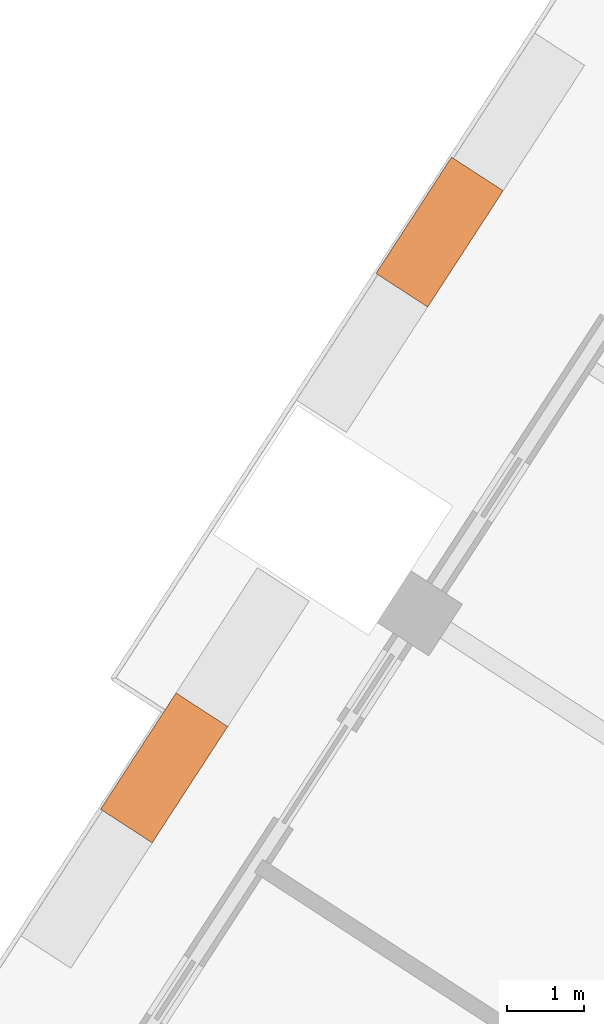
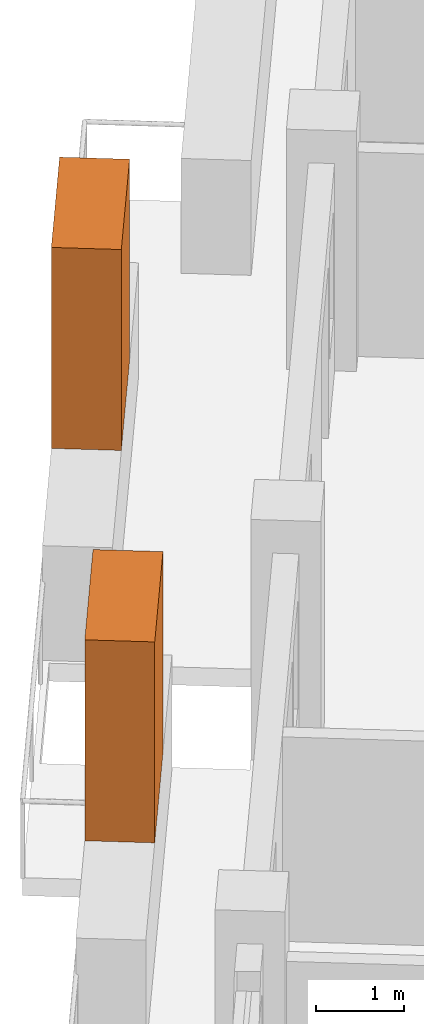
# One storey, part 17 of 17: 2 proxies.
"""IFC4 building model written with IfcOpenShell, lengths in metres."""

from ifc_helpers import new_model, si_unit, direction, frame, origin, origin_2d, place, context, subcontext, project, spatial, rectangle, extrude, element, save


model = new_model("IFC4")

# Units and contexts
model_context = context("Model", 3, precision=1e-05, world=origin(), true_north=direction((0.0, 1.0)))
body_context = subcontext(model_context, "Body", "Model", "MODEL_VIEW")
ifc_project = project(units=[si_unit("LENGTHUNIT", "METRE"), si_unit("AREAUNIT", "SQUARE_METRE"), si_unit("VOLUMEUNIT", "CUBIC_METRE"), si_unit("PLANEANGLEUNIT", "RADIAN"), si_unit("MASSUNIT", "GRAM", prefix="KILO")], contexts=[model_context])

# Site, building, storey
site_placement = place(None, origin())
site = spatial("IfcSite", under=ifc_project, at=site_placement, CompositionType="ELEMENT")
building_placement = place(site_placement, origin())
building = spatial("IfcBuilding", under=site, at=building_placement, Name="Cantera Rosa Tower", CompositionType="ELEMENT")
storey_placement = place(building_placement, frame((0.0, 0.0, 257.699951171875)))
storey = spatial("IfcBuildingStorey", under=building, at=storey_placement, Name="L57", CompositionType="ELEMENT", Elevation=257.699951171875)

# Proxies
for number, where, z_axis, x_axis, name in (
    (1, (-14.732421875, 19.32080078125, 1.60009765625), (0.0, 0.0, 1.0), (-0.544639035015, -0.838670567945, 0.0), "TREE L57-06"),
    (2, (-18.3076171875, 12.365966796875, 1.60009765625), (0.0, 0.0, 1.0), (-0.544639035015, -0.838670567945, 0.0), "TREE L57-07"),
):
    element("IfcBuildingElementProxy", number, at=place(storey_placement, frame(where, z_axis=z_axis, x_axis=x_axis)), inside=storey, Name=name, ObjectType="TREE", PredefinedType="USERDEFINED", context=body_context, shape_type="SweptSolid", body=[
        extrude(rectangle(XDim=1.800048828125, YDim=0.800048828125, at=origin_2d()), origin(), (0.0, 0.0, 1.0), 2.800048828125),
    ])

save(model, "model.ifc")
